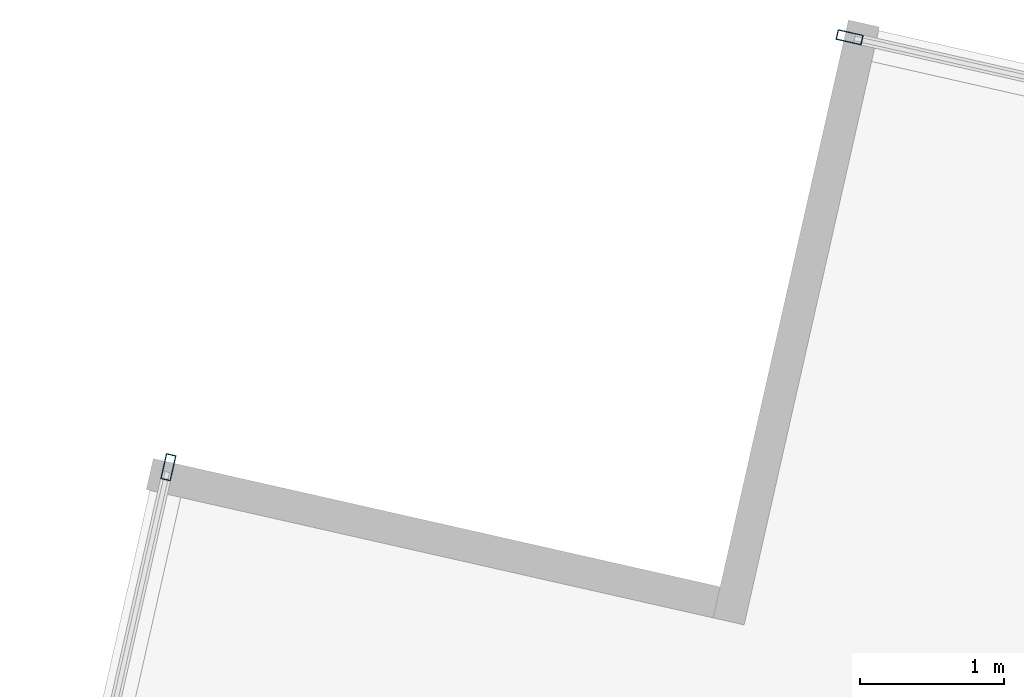
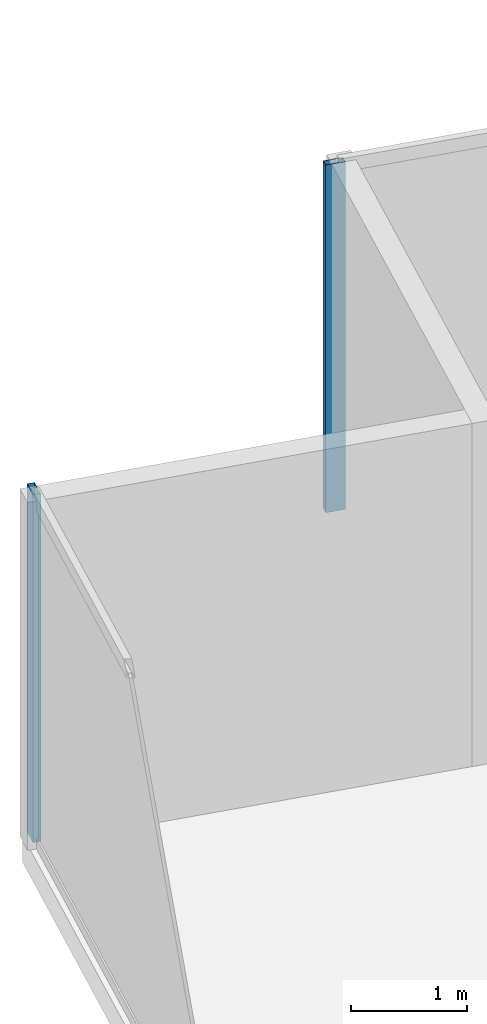
# One storey, part 17 of 27: 2 members, 2 elements without a shape of their own.
"""IFC4 building model written with IfcOpenShell, lengths in metres."""

from ifc_helpers import new_model, si_unit, direction, frame, origin, origin_2d, place, context, subcontext, project, spatial, hollow_rectangle, extrude, source, transform, mapped, material, material_profile, profile_set, type_object, type_shapes, element, aggregate, save


model = new_model("IFC4")

# Units and contexts
model_context = context("Model", 3, precision=1e-05, world=origin(), true_north=direction((0.0, 1.0)))
body_context = subcontext(model_context, "Body", "Model", "MODEL_VIEW")
ifc_project = project(units=[si_unit("LENGTHUNIT", "METRE"), si_unit("AREAUNIT", "SQUARE_METRE"), si_unit("VOLUMEUNIT", "CUBIC_METRE"), si_unit("PLANEANGLEUNIT", "RADIAN"), si_unit("MASSUNIT", "GRAM", prefix="KILO")], contexts=[model_context])

# Site, building, storey
site_placement = place(None, origin())
site = spatial("IfcSite", under=ifc_project, at=site_placement, CompositionType="ELEMENT")
building_placement = place(site_placement, origin())
building = spatial("IfcBuilding", under=site, at=building_placement, Name="Krantzveldt Concourse Tower", CompositionType="ELEMENT")
storey_placement = place(building_placement, frame((0.0, 0.0, 86.10009765625)))
storey = spatial("IfcBuildingStorey", under=building, at=storey_placement, Name="L20", CompositionType="ELEMENT", Elevation=86.10009765625)

# Curtain wall, member
ifc_material = material(Name="Anodised aluminium 6063-T6", Category="aluminium")
curtain_wall_type = type_object("IfcCurtainWallType", Name="CW2", PredefinedType="USERDEFINED", material=ifc_material)
curtain_wall_1_placement = place(storey_placement, origin())
curtain_wall_1 = element("IfcCurtainWall", 1, at=curtain_wall_1_placement, inside=storey, type_object=curtain_wall_type, Name="CW-L20-F01", ObjectType="UNITISED CURTAIN WALL", PredefinedType="USERDEFINED")
ifc_material_profile = material_profile(ifc_material, hollow_rectangle(XDim=0.070068359375, YDim=0.179931640625, WallThickness=0.0048828125, at=origin_2d()), Name="Anodised aluminium 6063-T6", Category="aluminium")
ifc_profile_set = profile_set([ifc_material_profile], Name="Anodised aluminium 6063-T6 - ALU-MULL 180x70x5")
member_type = type_object("IfcMemberType", Name="CW-MUL-180", PredefinedType="MULLION", material=ifc_profile_set)
shared_shape = source(origin(), body_context, "Body", "SweptSolid", [
    extrude(hollow_rectangle(XDim=0.070068359375, YDim=0.179931640625, WallThickness=0.0048828125, at=origin_2d()), origin(), (0.0, 0.0, 1.0), 3.669921875),
])
type_shapes(member_type, [shared_shape])
member_1_placement = place(storey_placement, frame((17.53857421875, 50.73193359375, 0.0), z_axis=(0.0, 0.0, 1.0), x_axis=(0.975342320609, -0.220697434579, 0.0)))
member_1 = element("IfcMember", 2, at=member_1_placement, type_object=member_type, Name="CW-Z12 mullion 1", PredefinedType="MULLION", context=body_context, shape_type="MappedRepresentation", body=[
    mapped(shared_shape, transform((0.0, 0.0, 0.0), x_axis=(1.0, 0.0, 0.0), y_axis=(0.0, 1.0, 0.0), z_axis=(0.0, 0.0, 1.0), scale=1.0)),
])
aggregate(curtain_wall_1, [member_1])

curtain_wall_2_placement = place(storey_placement, origin())
curtain_wall_2 = element("IfcCurtainWall", 3, at=curtain_wall_2_placement, inside=storey, type_object=curtain_wall_type, Name="CW-L20-F10", ObjectType="UNITISED CURTAIN WALL", PredefinedType="USERDEFINED")
member_2_placement = place(storey_placement, frame((22.2568359375, 53.708984375, 0.0), z_axis=(0.0, 0.0, 1.0), x_axis=(-0.220697434579, -0.975342320609, 0.0)))
member_2 = element("IfcMember", 4, at=member_2_placement, type_object=member_type, Name="CW-Z12 mullion 7", PredefinedType="MULLION", context=body_context, shape_type="MappedRepresentation", body=[
    mapped(shared_shape, transform((0.0, 0.0, 0.0), x_axis=(1.0, 0.0, 0.0), y_axis=(0.0, 1.0, 0.0), z_axis=(0.0, 0.0, 1.0), scale=1.0)),
])
aggregate(curtain_wall_2, [member_2])

save(model, "model.ifc")
